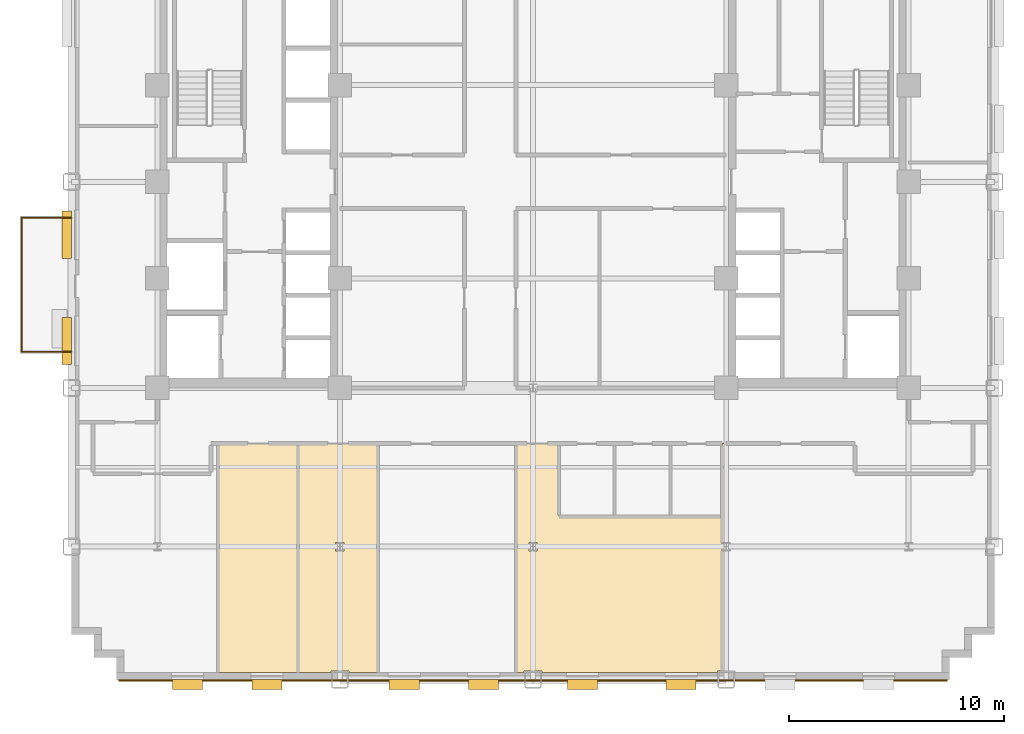
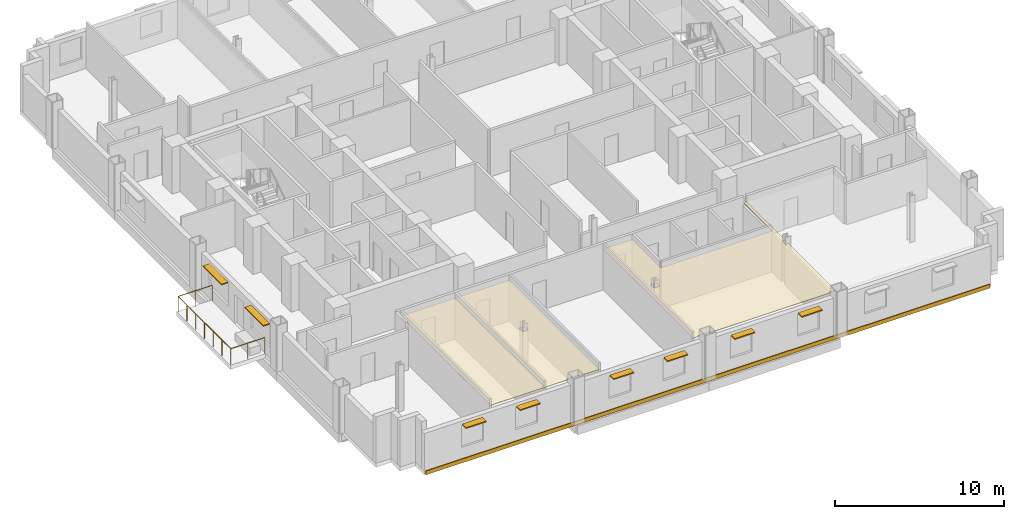
# One storey, part 11 of 14: 8 shading devices, 4 coverings, 1 railing.
"""IFC4 building model written with IfcOpenShell, lengths in metres."""

from ifc_helpers import new_model, si_unit, direction, frame, origin, origin_2d, place, context, subcontext, project, spatial, polyline, rectangle, circle, outline, extrude, source, transform, mapped, material, layer, layer_set, type_object, type_shapes, element, save


model = new_model("IFC4")

# Units and contexts
model_context = context("Model", 3, precision=1e-05, world=origin(), true_north=direction((0.0, 1.0)))
body_context = subcontext(model_context, "Body", "Model", "MODEL_VIEW")
ifc_project = project(units=[si_unit("LENGTHUNIT", "METRE"), si_unit("AREAUNIT", "SQUARE_METRE"), si_unit("VOLUMEUNIT", "CUBIC_METRE"), si_unit("PLANEANGLEUNIT", "RADIAN"), si_unit("MASSUNIT", "GRAM", prefix="KILO")], contexts=[model_context])

# Site, building, storey
site_placement = place(None, origin())
site = spatial("IfcSite", under=ifc_project, at=site_placement, CompositionType="ELEMENT")
building_placement = place(site_placement, origin())
building = spatial("IfcBuilding", under=site, at=building_placement, Name="Nuvemarco Arch Tower", CompositionType="ELEMENT")
storey_placement = place(building_placement, frame((0.0, 0.0, 64.10009765625)))
storey = spatial("IfcBuildingStorey", under=building, at=storey_placement, Name="L16", CompositionType="ELEMENT", Elevation=64.10009765625)

# Coverings
ifc_material_1 = material(Name="Mineral acoustic ceiling tile")
ifc_layer_1 = layer(ifc_material_1, 0.0400390625, Name="COV-ACOUSTIC-CLG")
ifc_layer_set_1 = layer_set([ifc_layer_1], Name="Mineral acoustic ceiling tile")
covering_type_1 = type_object("IfcCoveringType", Name="COV-ACOUSTIC-CLG", PredefinedType="CEILING", material=ifc_layer_set_1)
covering_1_placement = place(storey_placement, frame((0.0, 0.0, 2.849853515625)))
element("IfcCovering", 1, at=covering_1_placement, inside=storey, type_object=covering_type_1, Name="L16 suspended acoustic ceiling 2", PredefinedType="CEILING", context=body_context, shape_type="SweptSolid", body=[
    extrude(outline(polyline([(3.800048828125, -15.60009765625), (6.39990234375, -15.60009765625), (8.800048828125, -15.60009765625), (8.800048828125, -12.199951171875), (9.0, -12.199951171875), (9.0, -16.804931640625), (8.804931640625, -16.804931640625), (8.804931640625, -17.195068359375), (9.0, -17.195068359375), (9.0, -22.784912109375), (8.5849609375, -22.784912109375), (8.5849609375, -22.860107421875), (0.4150390625, -22.860107421875), (0.4150390625, -22.784912109375), (-0.4150390625, -22.784912109375), (-0.4150390625, -22.860107421875), (-0.800048828125, -22.860107421875), (-0.800048828125, -12.199951171875), (1.199951171875, -12.199951171875), (1.199951171875, -15.60009765625), (3.800048828125, -15.60009765625)]), holes=[polyline([(0.195068359375, -17.195068359375), (0.195068359375, -16.804931640625), (-0.195068359375, -16.804931640625), (-0.195068359375, -17.195068359375), (0.195068359375, -17.195068359375)])]), origin(), (0.0, 0.0, 1.0), 0.0400390625),
])
covering_2_placement = place(storey_placement, frame((0.0, 0.0, 2.849853515625)))
element("IfcCovering", 2, at=covering_2_placement, inside=storey, type_object=covering_type_1, Name="L16 suspended acoustic ceiling 8", PredefinedType="CEILING", context=body_context, shape_type="SweptSolid", body=[
    extrude(outline(polyline([(-14.669921875, -22.860107421875), (-14.669921875, -12.199951171875), (-10.93994140625, -12.199951171875), (-10.93994140625, -22.860107421875), (-14.669921875, -22.860107421875)])), origin(), (0.0, 0.0, 1.0), 0.0400390625),
])
covering_3_placement = place(storey_placement, frame((0.0, 0.0, 2.849853515625)))
element("IfcCovering", 3, at=covering_3_placement, inside=storey, type_object=covering_type_1, Name="L16 suspended acoustic ceiling 9", PredefinedType="CEILING", context=body_context, shape_type="SweptSolid", body=[
    extrude(outline(polyline([(-8.5849609375, -22.860107421875), (-8.5849609375, -22.784912109375), (-9.4150390625, -22.784912109375), (-9.4150390625, -22.860107421875), (-10.93994140625, -22.860107421875), (-10.93994140625, -12.199951171875), (-7.219970703125, -12.199951171875), (-7.219970703125, -22.860107421875), (-8.5849609375, -22.860107421875)]), holes=[polyline([(-8.804931640625, -17.195068359375), (-8.804931640625, -16.804931640625), (-9.195068359375, -16.804931640625), (-9.195068359375, -17.195068359375), (-8.804931640625, -17.195068359375)])]), origin(), (0.0, 0.0, 1.0), 0.0400390625),
])

# Railing
ifc_material_2 = material(Name="Dark anodised balustrade steel S355", Category="steel")
railing_type = type_object("IfcRailingType", Name="RL-TERR-GUARD", PredefinedType="BALUSTRADE", material=ifc_material_2)
railing_placement = place(storey_placement, frame((-21.5, -7.919921875, 0.0)))
element("IfcRailing", 4, at=railing_placement, inside=storey, type_object=railing_type, Name="L16 spiral terrace perimeter balustrade guard", PredefinedType="BALUSTRADE", context=body_context, shape_type="SweptSolid", body=[
    extrude(circle(Radius=0.02392578125, at=origin_2d()), frame((0.0, 0.0, 1.1259765625), z_axis=(-1.0, 0.0, 0.0), x_axis=(0.0, -1.0, 0.0)), (0.0, 0.0, 1.0), 2.320068359375),
    extrude(circle(Radius=0.02392578125, at=origin_2d()), frame((-2.320068359375, 0.0, 1.1259765625), z_axis=(0.0, 1.0, 0.0), x_axis=(-1.0, 0.0, 0.0)), (0.0, 0.0, 1.0), 6.239990234375),
    extrude(circle(Radius=0.02392578125, at=origin_2d()), frame((-2.320068359375, 6.239990234375, 1.1259765625), z_axis=(1.0, 0.0, 0.0), x_axis=(0.0, 1.0, 0.0)), (0.0, 0.0, 1.0), 2.320068359375),
    extrude(circle(Radius=0.02099609375, at=origin_2d()), origin(), (0.0, 0.0, 1.0), 1.101806640625),
    extrude(circle(Radius=0.02099609375, at=origin_2d()), frame((-1.16015625, 0.0, 0.0)), (0.0, 0.0, 1.0), 1.101806640625),
    extrude(circle(Radius=0.02099609375, at=origin_2d()), frame((-2.320068359375, 0.0, 0.0)), (0.0, 0.0, 1.0), 1.101806640625),
    extrude(circle(Radius=0.02099609375, at=origin_2d()), frame((-2.320068359375, 1.0400390625, 0.0)), (0.0, 0.0, 1.0), 1.101806640625),
    extrude(circle(Radius=0.02099609375, at=origin_2d()), frame((-2.320068359375, 2.080078125, 0.0)), (0.0, 0.0, 1.0), 1.101806640625),
    extrude(circle(Radius=0.02099609375, at=origin_2d()), frame((-2.320068359375, 3.1201171875, 0.0)), (0.0, 0.0, 1.0), 1.101806640625),
    extrude(circle(Radius=0.02099609375, at=origin_2d()), frame((-2.320068359375, 4.159912109375, 0.0)), (0.0, 0.0, 1.0), 1.101806640625),
    extrude(circle(Radius=0.02099609375, at=origin_2d()), frame((-2.320068359375, 5.199951171875, 0.0)), (0.0, 0.0, 1.0), 1.101806640625),
    extrude(circle(Radius=0.02099609375, at=origin_2d()), frame((-2.320068359375, 6.239990234375, 0.0)), (0.0, 0.0, 1.0), 1.101806640625),
    extrude(circle(Radius=0.02099609375, at=origin_2d()), frame((-1.16015625, 6.239990234375, 0.0)), (0.0, 0.0, 1.0), 1.101806640625),
    extrude(circle(Radius=0.02099609375, at=origin_2d()), frame((0.0, 6.239990234375, 0.0)), (0.0, 0.0, 1.0), 1.101806640625),
])

# Shading devices
ifc_material_3 = material(Name="Anodised aluminium 6063-T6", Category="aluminium")
shading_device_type_1 = type_object("IfcShadingDeviceType", Name="SHD-BRISE-SOLEIL", PredefinedType="USERDEFINED", material=ifc_material_3)
shared_shape_1 = source(origin(), body_context, "Body", "SweptSolid", [
    extrude(rectangle(XDim=2.199951171875, YDim=0.449951171875, at=origin_2d()), origin(), (0.0, 0.0, 1.0), 0.080078125),
])
type_shapes(shading_device_type_1, [shared_shape_1])
for number, where, z_axis, x_axis, name in (
    (5, (-21.715087890625, -7.41162109375, 2.4248046875), (0.0, 0.0, 1.0), (0.0, 1.0, 0.0), "L16 horizontal brise-soleil sunshade"),
    (6, (-21.715087890625, -2.470458984375, 2.4248046875), (0.0, 0.0, 1.0), (0.0, 1.0, 0.0), "L16 horizontal brise-soleil sunshade"),
):
    element("IfcShadingDevice", number, at=place(storey_placement, frame(where, z_axis=z_axis, x_axis=x_axis)), inside=storey, type_object=shading_device_type_1, Name=name, ObjectType="SUNSHADE", PredefinedType="USERDEFINED", context=body_context, shape_type="MappedRepresentation", body=[
        mapped(shared_shape_1, transform((0.0, 0.0, 0.0), scale=1.0)),
    ])
shading_device_type_2 = type_object("IfcShadingDeviceType", Name="SHD-BRISE-NARROW", PredefinedType="USERDEFINED", material=ifc_material_3)
shared_shape_2 = source(origin(), body_context, "Body", "SweptSolid", [
    extrude(rectangle(XDim=1.39990234375, YDim=0.449951171875, at=origin_2d()), origin(), (0.0, 0.0, 1.0), 0.080078125),
])
type_shapes(shading_device_type_2, [shared_shape_2])
for number, where, z_axis, x_axis, name in (
    (7, (-16.10009765625, -23.4150390625, 2.40478515625), (0.0, 0.0, 1.0), (1.0, 0.0, 0.0), "L16 horizontal brise-soleil sunshade"),
    (8, (-12.39990234375, -23.4150390625, 2.40478515625), (0.0, 0.0, 1.0), (1.0, 0.0, 0.0), "L16 horizontal brise-soleil sunshade"),
    (9, (-6.0, -23.4150390625, 2.40478515625), (0.0, 0.0, 1.0), (1.0, 0.0, 0.0), "L16 horizontal brise-soleil sunshade"),
    (10, (-2.300048828125, -23.4150390625, 2.40478515625), (0.0, 0.0, 1.0), (1.0, 0.0, 0.0), "L16 horizontal brise-soleil sunshade"),
    (11, (2.300048828125, -23.4150390625, 2.40478515625), (0.0, 0.0, 1.0), (1.0, 0.0, 0.0), "L16 horizontal brise-soleil sunshade"),
    (12, (6.89990234375, -23.4150390625, 2.40478515625), (0.0, 0.0, 1.0), (1.0, 0.0, 0.0), "L16 horizontal brise-soleil sunshade"),
):
    element("IfcShadingDevice", number, at=place(storey_placement, frame(where, z_axis=z_axis, x_axis=x_axis)), inside=storey, type_object=shading_device_type_2, Name=name, ObjectType="SUNSHADE", PredefinedType="USERDEFINED", context=body_context, shape_type="MappedRepresentation", body=[
        mapped(shared_shape_2, transform((0.0, 0.0, 0.0), scale=1.0)),
    ])

# Covering
ifc_material_4 = material(Name="Precast concrete C45/55", Category="concrete")
ifc_layer_2 = layer(ifc_material_4, 0.06005859375, Name="COV-SPANDREL-CLAD")
ifc_layer_set_2 = layer_set([ifc_layer_2], Name="Precast concrete C45/55")
covering_type_2 = type_object("IfcCoveringType", Name="COV-SPANDREL-CLAD", PredefinedType="CLADDING", material=ifc_layer_set_2)
shared_shape_3 = source(origin(), body_context, "Body", "SweptSolid", [
    extrude(rectangle(XDim=38.60009765625, YDim=0.06005859375, at=origin_2d()), origin(), (0.0, 0.0, 1.0), 0.280029296875),
])
type_shapes(covering_type_2, [shared_shape_3])
covering_4_placement = place(storey_placement, frame((0.0, -23.22900390625, -0.2802734375), z_axis=(0.0, 0.0, 1.0), x_axis=(1.0, 0.0, 0.0)))
element("IfcCovering", 13, at=covering_4_placement, inside=storey, type_object=covering_type_2, Name="L16 precast spandrel edge cladding south", PredefinedType="CLADDING", context=body_context, shape_type="MappedRepresentation", body=[
    mapped(shared_shape_3, transform((0.0, 0.0, 0.0), scale=1.0)),
])

save(model, "model.ifc")
